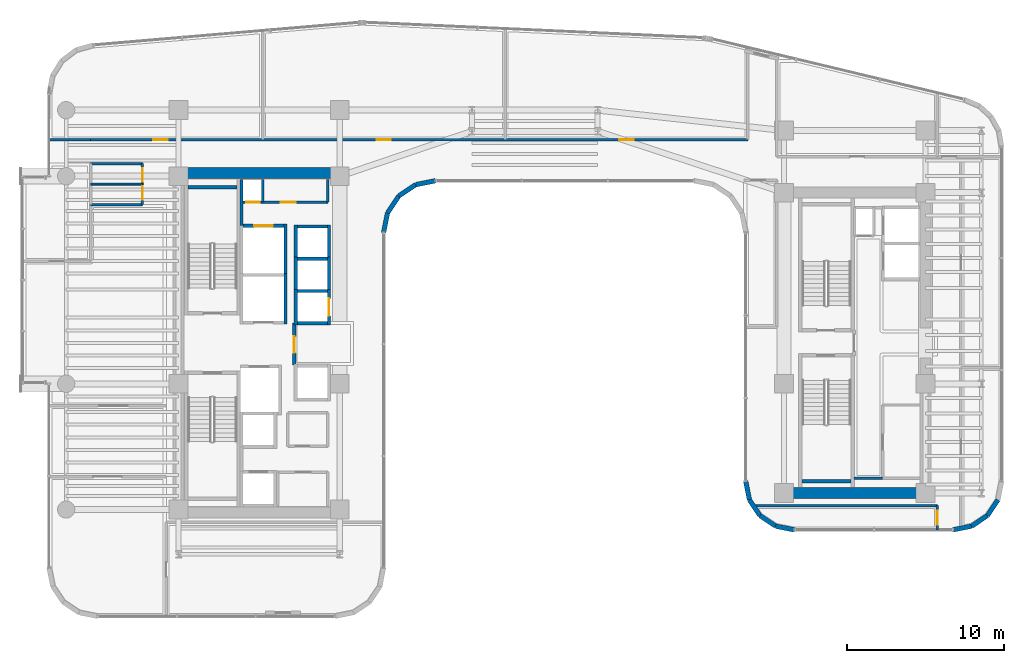
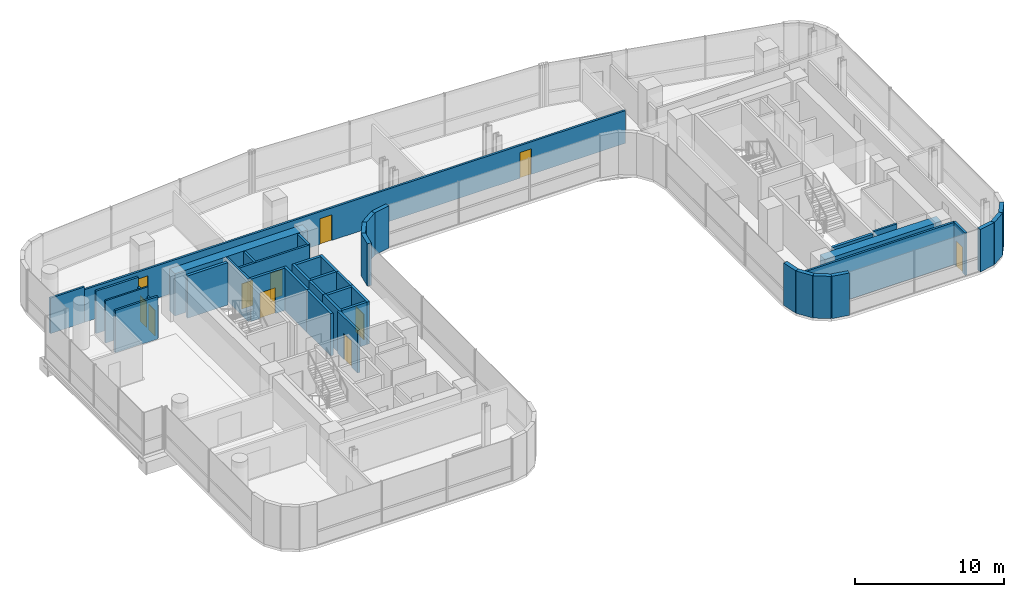
# One storey, part 27 of 34: 42 walls, 11 doors, 11 openings.
"""IFC4 building model written with IfcOpenShell, lengths in metres."""

from ifc_helpers import new_model, si_unit, direction, frame, frame_2d, origin, place, context, subcontext, project, spatial, rectangle, extrude, material, layer, layer_set, type_object, element, fill, save


model = new_model("IFC4")

# Units and contexts
model_context = context("Model", 3, precision=1e-05, world=origin(), true_north=direction((0.0, 1.0)))
body_context = subcontext(model_context, "Body", "Model", "MODEL_VIEW")
ifc_project = project(units=[si_unit("LENGTHUNIT", "METRE"), si_unit("AREAUNIT", "SQUARE_METRE"), si_unit("VOLUMEUNIT", "CUBIC_METRE"), si_unit("PLANEANGLEUNIT", "RADIAN"), si_unit("MASSUNIT", "GRAM", prefix="KILO")], contexts=[model_context])

# Site, building, storey
site_placement = place(None, origin())
site = spatial("IfcSite", under=ifc_project, at=site_placement, CompositionType="ELEMENT")
building_placement = place(site_placement, origin())
building = spatial("IfcBuilding", under=site, at=building_placement, Name="Valdorenza Pilgrim Sanctuary Tower", CompositionType="ELEMENT")
storey_placement = place(building_placement, frame((0.0, 0.0, 142.699951171875)))
storey = spatial("IfcBuildingStorey", under=building, at=storey_placement, Name="L36", CompositionType="ELEMENT", Elevation=142.699951171875)

# Wall
ifc_material_1 = material(Name="Acoustic twin-stud gypsum partition", Category="gypsum")
ifc_layer_1 = layer(ifc_material_1, 0.159912109375, Name="Acoustic twin-stud gypsum partition")
ifc_layer_set_1 = layer_set([ifc_layer_1], Name="Acoustic twin-stud gypsum partition")
wall_type_1 = type_object("IfcWallType", Name="WAL-COR-160", PredefinedType="PARTITIONING", material=ifc_layer_set_1)
wall_1_placement = place(storey_placement, frame((-18.64990234375, 7.449951171875, 0.0), z_axis=(0.0, 0.0, 1.0), x_axis=(0.0, 1.0, 0.0)))
element("IfcWall", 1, at=wall_1_placement, inside=storey, type_object=wall_type_1, Name="L36 Core A North Service West Wall", PredefinedType="PARTITIONING", context=body_context, shape_type="SweptSolid", body=[
    extrude(rectangle(XDim=2.929931640625, YDim=0.159912109375, at=frame_2d((1.46484375, 0.0))), origin(), (0.0, 0.0, 1.0), 3.4599609375),
])

# Wall, openings, doors
wall_2_placement = place(storey_placement, frame((-18.64990234375, 8.949951171875, 0.0), z_axis=(0.0, 0.0, 1.0), x_axis=(1.0, 0.0, 0.0)))
wall_2 = element("IfcWall", 2, at=wall_2_placement, inside=storey, type_object=wall_type_1, Name="L36 Core A North Service South Wall", PredefinedType="PARTITIONING", context=body_context, shape_type="SweptSolid", body=[
    extrude(rectangle(XDim=5.5, YDim=0.159912109375, at=frame_2d((2.75, 0.0))), origin(), (0.0, 0.0, 1.0), 3.4599609375),
])
opening_1_placement = place(wall_2_placement, frame((0.300048828125, 0.0, 0.0)))
opening_1 = element("IfcOpeningElement", 3, at=opening_1_placement, cuts=wall_2, Name="Opening DR-RS1", PredefinedType="OPENING", context=body_context, shape_type="SweptSolid", body=[
    extrude(rectangle(XDim=0.85009765625, YDim=2.050048828125, at=frame_2d((0.425048828125, 1.02490234375))), frame((0.0, 0.0947265625, 0.0), z_axis=(0.0, -1.0, 0.0), x_axis=(1.0, 0.0, 0.0)), (0.0, 0.0, 1.0), 0.189697265625),
])
opening_2_placement = place(wall_2_placement, frame((2.5, 0.0, 0.0)))
opening_2 = element("IfcOpeningElement", 4, at=opening_2_placement, cuts=wall_2, Name="Opening DR-UN1", PredefinedType="OPENING", context=body_context, shape_type="SweptSolid", body=[
    extrude(rectangle(XDim=0.949951171875, YDim=2.14990234375, at=frame_2d((0.47509765625, 1.074951171875))), frame((0.0, 0.0947265625, 0.0), z_axis=(0.0, -1.0, 0.0), x_axis=(1.0, 0.0, 0.0)), (0.0, 0.0, 1.0), 0.189697265625),
])
ifc_material_2 = material(Name="Painted galvanized steel", Category="steel")
door_type_1 = type_object("IfcDoorType", Name="DR-RSR-850", OperationType="NOTDEFINED", PredefinedType="DOOR", material=ifc_material_2)
door_1_placement = place(opening_1_placement, origin())
door_1 = element("IfcDoor", 5, at=door_1_placement, inside=storey, type_object=door_type_1, Name="L36 Core Electrical and Telecom Riser Door", OperationType="SINGLE_SWING_LEFT", OverallHeight=2.050048828125, OverallWidth=0.85009765625, PredefinedType="DOOR", context=body_context, shape_type="SweptSolid", body=[
    extrude(rectangle(XDim=0.85009765625, YDim=2.050048828125, at=frame_2d((0.425048828125, 1.02490234375))), frame((0.0, 0.02490234375, 0.0), z_axis=(0.0, -1.0, 0.0), x_axis=(1.0, 0.0, 0.0)), (0.0, 0.0, 1.0), 0.050048828125),
])
fill(opening_1, door_1)
ifc_material_3 = material(Name="Solid-core European oak timber", Category="wood")
door_type_2 = type_object("IfcDoorType", Name="DR-UNIT-950", OperationType="NOTDEFINED", PredefinedType="DOOR", material=ifc_material_3)
door_2_placement = place(opening_2_placement, origin())
door_2 = element("IfcDoor", 6, at=door_2_placement, inside=storey, type_object=door_type_2, Name="L36 Housekeeping and Clean Linen Room Door", OperationType="SINGLE_SWING_RIGHT", OverallHeight=2.14990234375, OverallWidth=0.949951171875, PredefinedType="DOOR", context=body_context, shape_type="SweptSolid", body=[
    extrude(rectangle(XDim=0.949951171875, YDim=2.14990234375, at=frame_2d((0.47509765625, 1.074951171875))), frame((0.0, 0.02490234375, 0.0), z_axis=(0.0, -1.0, 0.0), x_axis=(1.0, 0.0, 0.0)), (0.0, 0.0, 1.0), 0.050048828125),
])
fill(opening_2, door_2)

# Walls
for number, where, z_axis, x_axis, name in (
    (7, (-13.14990234375, 8.949951171875, 0.0), (0.0, 0.0, 1.0), (0.0, 1.0, 0.0), "L36 Core A North Service East Wall"),
    (8, (-17.300048828125, 8.949951171875, 0.0), (0.0, 0.0, 1.0), (0.0, 1.0, 0.0), "L36 Core Electrical Riser Wall"),
):
    element("IfcWall", number, at=place(storey_placement, frame(where, z_axis=z_axis, x_axis=x_axis)), inside=storey, type_object=wall_type_1, Name=name, PredefinedType="PARTITIONING", context=body_context, shape_type="SweptSolid", body=[
        extrude(rectangle(XDim=1.429931640625, YDim=0.159912109375, at=frame_2d((0.71484375, 0.0))), origin(), (0.0, 0.0, 1.0), 3.4599609375),
    ])
wall_3_placement = place(storey_placement, frame((20.300048828125, -8.60009765625, 0.0), z_axis=(0.0, 0.0, 1.0), x_axis=(1.0, 0.0, 0.0)))
element("IfcWall", 9, at=wall_3_placement, inside=storey, type_object=wall_type_1, Name="L36 Core B Lift Hall South End Wall", PredefinedType="PARTITIONING", context=body_context, shape_type="SweptSolid", body=[
    extrude(rectangle(XDim=1.820068359375, YDim=0.159912109375, at=frame_2d((0.91015625, 0.0))), origin(), (0.0, 0.0, 1.0), 3.4599609375),
])

# Wall, openings, doors
wall_4_placement = place(storey_placement, frame((-24.949951171875, 8.800048828125, 0.0), z_axis=(0.0, 0.0, 1.0), x_axis=(0.0, 1.0, 0.0)))
wall_4 = element("IfcWall", 10, at=wall_4_placement, inside=storey, type_object=wall_type_1, Name="L36 Washroom East Wall", PredefinedType="PARTITIONING", context=body_context, shape_type="SweptSolid", body=[
    extrude(rectangle(XDim=2.599853515625, YDim=0.159912109375, at=frame_2d((1.2998046875, 0.0))), origin(), (0.0, 0.0, 1.0), 2.666015625),
])
opening_3_placement = place(wall_4_placement, frame((0.300048828125, 0.0, 0.0)))
opening_3 = element("IfcOpeningElement", 11, at=opening_3_placement, cuts=wall_4, Name="Opening DR-WC1", PredefinedType="OPENING", context=body_context, shape_type="SweptSolid", body=[
    extrude(rectangle(XDim=0.85009765625, YDim=2.10009765625, at=frame_2d((0.425048828125, 1.050048828125))), frame((0.0, 0.0947265625, 0.0), z_axis=(0.0, -1.0, 0.0), x_axis=(1.0, 0.0, 0.0)), (0.0, 0.0, 1.0), 0.189697265625),
])
opening_4_placement = place(wall_4_placement, frame((1.449951171875, 0.0, 0.0)))
opening_4 = element("IfcOpeningElement", 12, at=opening_4_placement, cuts=wall_4, Name="Opening DR-WC1", PredefinedType="OPENING", context=body_context, shape_type="SweptSolid", body=[
    extrude(rectangle(XDim=0.85009765625, YDim=2.10009765625, at=frame_2d((0.425048828125, 1.050048828125))), frame((0.0, 0.0947265625, 0.0), z_axis=(0.0, -1.0, 0.0), x_axis=(1.0, 0.0, 0.0)), (0.0, 0.0, 1.0), 0.189697265625),
])
ifc_material_4 = material(Name="Moisture-resistant lacquered timber", Category="wood")
door_type_3 = type_object("IfcDoorType", Name="DR-BATH-850", OperationType="NOTDEFINED", PredefinedType="DOOR", material=ifc_material_4)
door_3_placement = place(opening_3_placement, origin())
door_3 = element("IfcDoor", 13, at=door_3_placement, inside=storey, type_object=door_type_3, Name="L36 Accessible Washroom Door", OperationType="SINGLE_SWING_RIGHT", OverallHeight=2.10009765625, OverallWidth=0.85009765625, PredefinedType="DOOR", context=body_context, shape_type="SweptSolid", body=[
    extrude(rectangle(XDim=0.85009765625, YDim=2.10009765625, at=frame_2d((0.425048828125, 1.050048828125))), frame((0.0, 0.02490234375, 0.0), z_axis=(0.0, -1.0, 0.0), x_axis=(1.0, 0.0, 0.0)), (0.0, 0.0, 1.0), 0.050048828125),
])
fill(opening_3, door_3)
door_4_placement = place(opening_4_placement, origin())
door_4 = element("IfcDoor", 14, at=door_4_placement, inside=storey, type_object=door_type_3, Name="L36 Public Washroom Door", OperationType="SINGLE_SWING_LEFT", OverallHeight=2.10009765625, OverallWidth=0.85009765625, PredefinedType="DOOR", context=body_context, shape_type="SweptSolid", body=[
    extrude(rectangle(XDim=0.85009765625, YDim=2.10009765625, at=frame_2d((0.425048828125, 1.050048828125))), frame((0.0, 0.02490234375, 0.0), z_axis=(0.0, -1.0, 0.0), x_axis=(1.0, 0.0, 0.0)), (0.0, 0.0, 1.0), 0.050048828125),
])
fill(opening_4, door_4)

# Walls
for number, where, z_axis, x_axis, name in (
    (15, (-28.25, 8.800048828125, 0.0), (0.0, 0.0, 1.0), (1.0, 0.0, 0.0), "L36 Washroom South Wall"),
    (16, (-28.25, 11.39990234375, 0.0), (0.0, 0.0, 1.0), (1.0, 0.0, 0.0), "L36 Washroom North Wall"),
):
    element("IfcWall", number, at=place(storey_placement, frame(where, z_axis=z_axis, x_axis=x_axis)), inside=storey, type_object=wall_type_1, Name=name, PredefinedType="PARTITIONING", context=body_context, shape_type="SweptSolid", body=[
        extrude(rectangle(XDim=3.300048828125, YDim=0.159912109375, at=frame_2d((1.64990234375, 0.0))), origin(), (0.0, 0.0, 1.0), 3.4599609375),
    ])
wall_5_placement = place(storey_placement, frame((-30.889892578125, 12.919921875, 0.0), z_axis=(0.0, 0.0, 1.0), x_axis=(1.0, 0.0, 0.0)))
element("IfcWall", 17, at=wall_5_placement, inside=storey, type_object=wall_type_1, Name="L36 Cloister North Solid Partition", PredefinedType="PARTITIONING", context=body_context, shape_type="SweptSolid", body=[
    extrude(rectangle(XDim=2.639892578125, YDim=0.159912109375, at=frame_2d((1.31982421875, 0.0))), origin(), (0.0, 0.0, 1.0), 2.89599609375),
])

# Wall, openings, doors
wall_6_placement = place(storey_placement, frame((-28.25, 12.919921875, 0.0), z_axis=(0.0, 0.0, 1.0), x_axis=(1.0, 0.0, 0.0)))
wall_6 = element("IfcWall", 18, at=wall_6_placement, inside=storey, type_object=wall_type_1, Name="L36 North Corridor Wall", PredefinedType="PARTITIONING", context=body_context, shape_type="SweptSolid", body=[
    extrude(rectangle(XDim=41.800048828125, YDim=0.159912109375, at=frame_2d((20.89990234375, 0.0))), origin(), (0.0, 0.0, 1.0), 2.666015625),
])
opening_5_placement = place(wall_6_placement, frame((4.0, 0.0, 0.0)))
opening_5 = element("IfcOpeningElement", 19, at=opening_5_placement, cuts=wall_6, Name="Opening DR-RM1", PredefinedType="OPENING", context=body_context, shape_type="SweptSolid", body=[
    extrude(rectangle(XDim=0.89990234375, YDim=2.10009765625, at=frame_2d((0.449951171875, 1.050048828125))), frame((0.0, 0.0947265625, 0.0), z_axis=(0.0, -1.0, 0.0), x_axis=(1.0, 0.0, 0.0)), (0.0, 0.0, 1.0), 0.189697265625),
])
opening_6_placement = place(wall_6_placement, frame((18.205078125, 0.0, 0.0)))
opening_6 = element("IfcOpeningElement", 20, at=opening_6_placement, cuts=wall_6, Name="Opening DR-RM1", PredefinedType="OPENING", context=body_context, shape_type="SweptSolid", body=[
    extrude(rectangle(XDim=0.89990234375, YDim=2.10009765625, at=frame_2d((0.449951171875, 1.050048828125))), frame((0.0, 0.0947265625, 0.0), z_axis=(0.0, -1.0, 0.0), x_axis=(1.0, 0.0, 0.0)), (0.0, 0.0, 1.0), 0.189697265625),
])
opening_7_placement = place(wall_6_placement, frame((33.635009765625, 0.0, 0.0)))
opening_7 = element("IfcOpeningElement", 21, at=opening_7_placement, cuts=wall_6, Name="Opening DR-RM1", PredefinedType="OPENING", context=body_context, shape_type="SweptSolid", body=[
    extrude(rectangle(XDim=0.89990234375, YDim=2.10009765625, at=frame_2d((0.449951171875, 1.050048828125))), frame((0.0, 0.0947265625, 0.0), z_axis=(0.0, -1.0, 0.0), x_axis=(1.0, 0.0, 0.0)), (0.0, 0.0, 1.0), 0.189697265625),
])
door_type_4 = type_object("IfcDoorType", Name="DR-ROOM-900", OperationType="NOTDEFINED", PredefinedType="DOOR", material=ifc_material_3)
door_5_placement = place(opening_5_placement, origin())
door_5 = element("IfcDoor", 22, at=door_5_placement, inside=storey, type_object=door_type_4, Name="L36 Private Banquet Dining Room L36-N1 Door", OperationType="SINGLE_SWING_RIGHT", OverallHeight=2.10009765625, OverallWidth=0.89990234375, PredefinedType="DOOR", context=body_context, shape_type="SweptSolid", body=[
    extrude(rectangle(XDim=0.89990234375, YDim=2.10009765625, at=frame_2d((0.449951171875, 1.050048828125))), frame((0.0, 0.02490234375, 0.0), z_axis=(0.0, -1.0, 0.0), x_axis=(1.0, 0.0, 0.0)), (0.0, 0.0, 1.0), 0.050048828125),
])
fill(opening_5, door_5)
door_6_placement = place(opening_6_placement, frame((0.89990234375, 0.0, 0.0), z_axis=(0.0, 0.0, 1.0), x_axis=(-1.0, 0.0, 0.0)))
door_6 = element("IfcDoor", 23, at=door_6_placement, inside=storey, type_object=door_type_4, Name="L36 Private Banquet Dining Room L36-N2 Door", OperationType="SINGLE_SWING_LEFT", OverallHeight=2.10009765625, OverallWidth=0.89990234375, PredefinedType="DOOR", context=body_context, shape_type="SweptSolid", body=[
    extrude(rectangle(XDim=0.89990234375, YDim=2.10009765625, at=frame_2d((0.449951171875, 1.050048828125))), frame((0.0, 0.02490234375, 0.0), z_axis=(0.0, -1.0, 0.0), x_axis=(1.0, 0.0, 0.0)), (0.0, 0.0, 1.0), 0.050048828125),
])
fill(opening_6, door_6)
door_7_placement = place(opening_7_placement, origin())
door_7 = element("IfcDoor", 24, at=door_7_placement, inside=storey, type_object=door_type_4, Name="L36 Private Banquet Dining Room L36-N3 Door", OperationType="SINGLE_SWING_RIGHT", OverallHeight=2.10009765625, OverallWidth=0.89990234375, PredefinedType="DOOR", context=body_context, shape_type="SweptSolid", body=[
    extrude(rectangle(XDim=0.89990234375, YDim=2.10009765625, at=frame_2d((0.449951171875, 1.050048828125))), frame((0.0, 0.02490234375, 0.0), z_axis=(0.0, -1.0, 0.0), x_axis=(1.0, 0.0, 0.0)), (0.0, 0.0, 1.0), 0.050048828125),
])
fill(opening_7, door_7)

# Wall, opening, door
wall_7_placement = place(storey_placement, frame((25.60009765625, -11.889892578125, 0.0), z_axis=(0.0, 0.0, 1.0), x_axis=(0.0, 1.0, 0.0)))
wall_7 = element("IfcWall", 25, at=wall_7_placement, inside=storey, type_object=wall_type_1, Name="L36 Wing B South-East Wall", PredefinedType="PARTITIONING", context=body_context, shape_type="SweptSolid", body=[
    extrude(rectangle(XDim=1.539794921875, YDim=0.159912109375, at=frame_2d((0.77001953125, 0.0))), origin(), (0.0, 0.0, 1.0), 3.4599609375),
])
opening_8_placement = place(wall_7_placement, frame((0.320068359375, 0.0, 0.0)))
opening_8 = element("IfcOpeningElement", 26, at=opening_8_placement, cuts=wall_7, Name="Opening DR-RM1", PredefinedType="OPENING", context=body_context, shape_type="SweptSolid", body=[
    extrude(rectangle(XDim=0.89990234375, YDim=2.10009765625, at=frame_2d((0.449951171875, 1.050048828125))), frame((0.0, 0.0947265625, 0.0), z_axis=(0.0, -1.0, 0.0), x_axis=(1.0, 0.0, 0.0)), (0.0, 0.0, 1.0), 0.189697265625),
])
door_8_placement = place(opening_8_placement, origin())
door_8 = element("IfcDoor", 27, at=door_8_placement, inside=storey, type_object=door_type_4, Name="L36 Sacred Manuscript Archive L36-BS Door", OperationType="SINGLE_SWING_RIGHT", OverallHeight=2.10009765625, OverallWidth=0.89990234375, PredefinedType="DOOR", context=body_context, shape_type="SweptSolid", body=[
    extrude(rectangle(XDim=0.89990234375, YDim=2.10009765625, at=frame_2d((0.449951171875, 1.050048828125))), frame((0.0, 0.02490234375, 0.0), z_axis=(0.0, -1.0, 0.0), x_axis=(1.0, 0.0, 0.0)), (0.0, 0.0, 1.0), 0.050048828125),
])
fill(opening_8, door_8)

# Walls
wall_8_placement = place(storey_placement, frame((14.043701171875, -10.35009765625, 0.0), z_axis=(0.0, 0.0, 1.0), x_axis=(1.0, 0.0, 0.0)))
element("IfcWall", 28, at=wall_8_placement, inside=storey, type_object=wall_type_1, Name="L36 Wing B South Closure", PredefinedType="PARTITIONING", context=body_context, shape_type="SweptSolid", body=[
    extrude(rectangle(XDim=11.556396484375, YDim=0.159912109375, at=frame_2d((5.7783203125, 0.0))), origin(), (0.0, 0.0, 1.0), 3.4599609375),
])
ifc_material_5 = material(Name="Concrete C60/75", Category="concrete")
ifc_layer_2 = layer(ifc_material_5, 0.699951171875, Name="Concrete C60/75")
ifc_layer_set_2 = layer_set([ifc_layer_2], Name="Concrete C60/75")
wall_type_2 = type_object("IfcWallType", Name="WAL-COR-700", PredefinedType="SHEAR", material=ifc_layer_set_2)
wall_9_placement = place(storey_placement, frame((-22.64990234375, 10.800048828125, 0.0), z_axis=(0.0, 0.0, 1.0), x_axis=(1.0, 0.0, 0.0)))
element("IfcWall", 29, at=wall_9_placement, inside=storey, type_object=wall_type_2, Name="L36 Split Core A Shear Wall N", PredefinedType="SHEAR", context=body_context, shape_type="SweptSolid", body=[
    extrude(rectangle(XDim=10.25, YDim=0.699951171875, at=frame_2d((5.125, 0.0))), origin(), (0.0, 0.0, 1.0), 3.4599609375),
])
wall_10_placement = place(storey_placement, frame((15.85009765625, -9.550048828125, 0.0), z_axis=(0.0, 0.0, 1.0), x_axis=(1.0, 0.0, 0.0)))
element("IfcWall", 30, at=wall_10_placement, inside=storey, type_object=wall_type_2, Name="L36 Split Core B Shear Wall S", PredefinedType="SHEAR", context=body_context, shape_type="SweptSolid", body=[
    extrude(rectangle(XDim=9.0, YDim=0.699951171875, at=frame_2d((4.5, 0.0))), origin(), (0.0, 0.0, 1.0), 3.4599609375),
])
ifc_material_6 = material(Name="Honed travertine limestone", Category="masonry")
ifc_layer_3 = layer(ifc_material_6, 0.300048828125, Name="Honed travertine limestone")
ifc_layer_set_3 = layer_set([ifc_layer_3], Name="Honed travertine limestone")
wall_type_3 = type_object("IfcWallType", Name="WAL-EXT-300", PredefinedType="SOLIDWALL", material=ifc_layer_set_3)
for number, where, z_axis, x_axis, name in (
    (31, (29.452880859375, -9.981689453125, 0.0), (0.0, 0.0, 1.0), (-0.555635100982, -0.831426265255, 0.0), "L36 Rounded Wind-Corner Stone Pier 23"),
    (32, (28.783447265625, -10.9833984375, 0.0), (0.0, 0.0, 1.0), (-0.831426265255, -0.555635100982, 0.0), "L36 Rounded Wind-Corner Stone Pier 24"),
):
    element("IfcWall", number, at=place(storey_placement, frame(where, z_axis=z_axis, x_axis=x_axis)), inside=storey, type_object=wall_type_3, Name=name, PredefinedType="SOLIDWALL", context=body_context, shape_type="SweptSolid", body=[
        extrude(rectangle(XDim=1.204833984375, YDim=0.300048828125, at=frame_2d((0.6025390625, 0.0))), origin(), (0.0, 0.0, 1.0), 3.4599609375),
    ])
wall_11_placement = place(storey_placement, frame((27.78173828125, -11.65283203125, 0.0), z_axis=(0.0, 0.0, 1.0), x_axis=(-0.980811661072, -0.194957650543, 0.0)))
element("IfcWall", 33, at=wall_11_placement, inside=storey, type_object=wall_type_3, Name="L36 Rounded Wind-Corner Stone Pier 25", PredefinedType="SOLIDWALL", context=body_context, shape_type="SweptSolid", body=[
    extrude(rectangle(XDim=1.216064453125, YDim=0.300048828125, at=frame_2d((0.60791015625, 0.0))), origin(), (0.0, 0.0, 1.0), 3.4599609375),
])
wall_12_placement = place(storey_placement, frame((16.5107421875, -11.889892578125, 0.0), z_axis=(0.0, 0.0, 1.0), x_axis=(-0.980804027463, 0.194996050505, 0.0)))
element("IfcWall", 34, at=wall_12_placement, inside=storey, type_object=wall_type_3, Name="L36 Rounded Wind-Corner Stone Pier 27", PredefinedType="SOLIDWALL", context=body_context, shape_type="SweptSolid", body=[
    extrude(rectangle(XDim=1.2158203125, YDim=0.300048828125, at=frame_2d((0.60791015625, 0.0))), origin(), (0.0, 0.0, 1.0), 3.4599609375),
])
for number, where, z_axis, x_axis, name in (
    (35, (15.318359375, -11.65283203125, 0.0), (0.0, 0.0, 1.0), (-0.831426265255, 0.555635100982, 0.0), "L36 Rounded Wind-Corner Stone Pier 28"),
    (36, (14.316650390625, -10.9833984375, 0.0), (0.0, 0.0, 1.0), (-0.555635100982, 0.831426265255, 0.0), "L36 Rounded Wind-Corner Stone Pier 29"),
):
    element("IfcWall", number, at=place(storey_placement, frame(where, z_axis=z_axis, x_axis=x_axis)), inside=storey, type_object=wall_type_3, Name=name, PredefinedType="SOLIDWALL", context=body_context, shape_type="SweptSolid", body=[
        extrude(rectangle(XDim=1.204833984375, YDim=0.300048828125, at=frame_2d((0.6025390625, 0.0))), origin(), (0.0, 0.0, 1.0), 3.4599609375),
    ])
wall_13_placement = place(storey_placement, frame((13.647216796875, -9.981689453125, 0.0), z_axis=(0.0, 0.0, 1.0), x_axis=(-0.195189223115, 0.980765602568, 0.0)))
element("IfcWall", 37, at=wall_13_placement, inside=storey, type_object=wall_type_3, Name="L36 Rounded Wind-Corner Stone Pier 30", PredefinedType="SOLIDWALL", context=body_context, shape_type="SweptSolid", body=[
    extrude(rectangle(XDim=1.2158203125, YDim=0.300048828125, at=frame_2d((0.60791015625, 0.0))), origin(), (0.0, 0.0, 1.0), 3.4599609375),
])
wall_14_placement = place(storey_placement, frame((-6.310791015625, 10.31005859375, 0.0), z_axis=(0.0, 0.0, 1.0), x_axis=(-0.980778058848, -0.195126623715, 0.0)))
element("IfcWall", 38, at=wall_14_placement, inside=storey, type_object=wall_type_3, Name="L36 Rounded Wind-Corner Stone Pier 37", PredefinedType="SOLIDWALL", context=body_context, shape_type="SweptSolid", body=[
    extrude(rectangle(XDim=1.28125, YDim=0.300048828125, at=frame_2d((0.640625, 0.0))), origin(), (0.0, 0.0, 1.0), 3.4599609375),
])
wall_15_placement = place(storey_placement, frame((-7.5673828125, 10.06005859375, 0.0), z_axis=(0.0, 0.0, 1.0), x_axis=(-0.831497739511, -0.555528135371, 0.0)))
element("IfcWall", 39, at=wall_15_placement, inside=storey, type_object=wall_type_3, Name="L36 Rounded Wind-Corner Stone Pier 38", PredefinedType="SOLIDWALL", context=body_context, shape_type="SweptSolid", body=[
    extrude(rectangle(XDim=1.29248046875, YDim=0.300048828125, at=frame_2d((0.646240234375, 0.0))), origin(), (0.0, 0.0, 1.0), 3.4599609375),
])
wall_16_placement = place(storey_placement, frame((-8.64208984375, 9.342041015625, 0.0), z_axis=(0.0, 0.0, 1.0), x_axis=(-0.555615398575, -0.831439431869, 0.0)))
element("IfcWall", 40, at=wall_16_placement, inside=storey, type_object=wall_type_3, Name="L36 Rounded Wind-Corner Stone Pier 39", PredefinedType="SOLIDWALL", context=body_context, shape_type="SweptSolid", body=[
    extrude(rectangle(XDim=1.292236328125, YDim=0.300048828125, at=frame_2d((0.64599609375, 0.0))), origin(), (0.0, 0.0, 1.0), 3.4599609375),
])
wall_17_placement = place(storey_placement, frame((-9.360107421875, 8.267578125, 0.0), z_axis=(0.0, 0.0, 1.0), x_axis=(-0.195090163074, -0.980785312019, 0.0)))
element("IfcWall", 41, at=wall_17_placement, inside=storey, type_object=wall_type_3, Name="L36 Rounded Wind-Corner Stone Pier 40", PredefinedType="SOLIDWALL", context=body_context, shape_type="SweptSolid", body=[
    extrude(rectangle(XDim=1.281494140625, YDim=0.300048828125, at=frame_2d((0.640625, 0.0))), origin(), (0.0, 0.0, 1.0), 3.4599609375),
])

# Wall, opening, door
ifc_material_7 = material(Name="Gypsum shaftwall partition", Category="gypsum")
ifc_layer_4 = layer(ifc_material_7, 0.199951171875, Name="Gypsum shaftwall partition")
ifc_layer_set_4 = layer_set([ifc_layer_4], Name="Gypsum shaftwall partition")
wall_type_4 = type_object("IfcWallType", Name="WAL-FFL-200", PredefinedType="PARTITIONING", material=ifc_layer_set_4)
wall_18_placement = place(storey_placement, frame((-15.300048828125, -1.419921875, 0.0), z_axis=(0.0, 0.0, 1.0), x_axis=(0.0, 1.0, 0.0)))
wall_18 = element("IfcWall", 42, at=wall_18_placement, inside=storey, type_object=wall_type_4, Name="L36 Core A Firefighting Lobby East Wall", PredefinedType="PARTITIONING", context=body_context, shape_type="SweptSolid", body=[
    extrude(rectangle(XDim=2.669921875, YDim=0.199951171875, at=frame_2d((1.3349609375, 0.0))), origin(), (0.0, 0.0, 1.0), 3.4599609375),
])
opening_9_placement = place(wall_18_placement, frame((0.780029296875, 0.0, 0.0)))
opening_9 = element("IfcOpeningElement", 43, at=opening_9_placement, cuts=wall_18, Name="Opening DR-FL1", PredefinedType="OPENING", context=body_context, shape_type="SweptSolid", body=[
    extrude(rectangle(XDim=1.050048828125, YDim=2.14990234375, at=frame_2d((0.52490234375, 1.074951171875))), frame((0.0, 0.11474609375, 0.0), z_axis=(0.0, -1.0, 0.0), x_axis=(1.0, 0.0, 0.0)), (0.0, 0.0, 1.0), 0.229736328125),
])
door_type_5 = type_object("IfcDoorType", Name="DR-FFL-1050", OperationType="NOTDEFINED", PredefinedType="DOOR", material=ifc_material_2)
door_9_placement = place(opening_9_placement, origin())
door_9 = element("IfcDoor", 44, at=door_9_placement, inside=storey, type_object=door_type_5, Name="L36 Core A Firefighting Lobby Door", OperationType="SINGLE_SWING_RIGHT", OverallHeight=2.14990234375, OverallWidth=1.050048828125, PredefinedType="DOOR", context=body_context, shape_type="SweptSolid", body=[
    extrude(rectangle(XDim=1.050048828125, YDim=2.14990234375, at=frame_2d((0.52490234375, 1.074951171875))), frame((0.0, 0.02490234375, 0.0), z_axis=(0.0, -1.0, 0.0), x_axis=(1.0, 0.0, 0.0)), (0.0, 0.0, 1.0), 0.050048828125),
])
fill(opening_9, door_9)

# Walls
ifc_material_8 = material(Name="Moisture-resistant gypsum partition", Category="gypsum")
ifc_layer_5 = layer(ifc_material_8, 0.1201171875, Name="Moisture-resistant gypsum partition")
ifc_layer_set_5 = layer_set([ifc_layer_5], Name="Moisture-resistant gypsum partition")
wall_type_5 = type_object("IfcWallType", Name="WAL-INT-120", PredefinedType="PARTITIONING", material=ifc_layer_set_5)
wall_19_placement = place(storey_placement, frame((-28.25, 10.10009765625, 0.0), z_axis=(0.0, 0.0, 1.0), x_axis=(1.0, 0.0, 0.0)))
element("IfcWall", 45, at=wall_19_placement, inside=storey, type_object=wall_type_5, Name="L36 Washroom Divider Wall", PredefinedType="PARTITIONING", context=body_context, shape_type="SweptSolid", body=[
    extrude(rectangle(XDim=3.300048828125, YDim=0.1201171875, at=frame_2d((1.64990234375, 0.0))), origin(), (0.0, 0.0, 1.0), 3.4599609375),
])
ifc_material_9 = material(Name="Autoclaved aerated concrete blockwork", Category="masonry")
ifc_layer_6 = layer(ifc_material_9, 0.199951171875, Name="Autoclaved aerated concrete blockwork")
ifc_layer_set_6 = layer_set([ifc_layer_6], Name="Autoclaved aerated concrete blockwork")
wall_type_6 = type_object("IfcWallType", Name="WAL-SHF-200", PredefinedType="MOVABLE", material=ifc_layer_set_6)
wall_20_placement = place(storey_placement, frame((-15.85009765625, 1.199951171875, 0.0), z_axis=(0.0, 0.0, 1.0), x_axis=(0.0, 1.0, 0.0)))
element("IfcWall", 46, at=wall_20_placement, inside=storey, type_object=wall_type_6, Name="L36 Lift FFL-01 Hoistway Wall East", PredefinedType="MOVABLE", context=body_context, shape_type="SweptSolid", body=[
    extrude(rectangle(XDim=3.22509765625, YDim=0.199951171875, at=frame_2d((1.612548828125, 0.0))), origin(), (0.0, 0.0, 1.0), 3.4599609375),
])
wall_21_placement = place(storey_placement, frame((-15.85009765625, 4.22509765625, 0.0), z_axis=(0.0, 0.0, 1.0), x_axis=(0.0, 1.0, 0.0)))
element("IfcWall", 47, at=wall_21_placement, inside=storey, type_object=wall_type_6, Name="L36 Lift SVL-01 Hoistway Wall East", PredefinedType="MOVABLE", context=body_context, shape_type="SweptSolid", body=[
    extrude(rectangle(XDim=3.324951171875, YDim=0.199951171875, at=frame_2d((1.66259765625, 0.0))), origin(), (0.0, 0.0, 1.0), 3.4599609375),
])

# Wall, opening, door
wall_22_placement = place(storey_placement, frame((-18.550048828125, 7.449951171875, 0.0), z_axis=(0.0, 0.0, 1.0), x_axis=(1.0, 0.0, 0.0)))
wall_22 = element("IfcWall", 48, at=wall_22_placement, inside=storey, type_object=wall_type_6, Name="L36 Lift SVL-01 Hoistway Wall North", PredefinedType="MOVABLE", context=body_context, shape_type="SweptSolid", body=[
    extrude(rectangle(XDim=2.60009765625, YDim=0.199951171875, at=frame_2d((1.300048828125, 0.0))), origin(), (0.0, 0.0, 1.0), 3.4599609375),
])
opening_10_placement = place(wall_22_placement, frame((0.699951171875, 0.0, 0.0)))
opening_10 = element("IfcOpeningElement", 49, at=opening_10_placement, cuts=wall_22, Name="Opening LD-02", PredefinedType="OPENING", context=body_context, shape_type="SweptSolid", body=[
    extrude(rectangle(XDim=1.199951171875, YDim=2.10009765625, at=frame_2d((0.60009765625, 1.050048828125))), frame((0.0, 0.11474609375, 0.0), z_axis=(0.0, -1.0, 0.0), x_axis=(1.0, 0.0, 0.0)), (0.0, 0.0, 1.0), 0.229736328125),
])
ifc_material_10 = material(Name="Brushed stainless steel Grade 316", Category="steel")
door_type_6 = type_object("IfcDoorType", Name="DR-LFT-1200", OperationType="DOUBLE_DOOR_SLIDING", PredefinedType="DOOR", material=ifc_material_10)
door_10_placement = place(opening_10_placement, origin())
door_10 = element("IfcDoor", 50, at=door_10_placement, inside=storey, type_object=door_type_6, Name="L36 Lift SVL-01 Sliding Landing Door", OperationType="DOUBLE_DOOR_SLIDING", OverallHeight=2.10009765625, OverallWidth=1.199951171875, PredefinedType="DOOR", context=body_context, shape_type="SweptSolid", body=[
    extrude(rectangle(XDim=1.199951171875, YDim=2.10009765625, at=frame_2d((0.60009765625, 1.050048828125))), frame((0.0, 0.02490234375, 0.0), z_axis=(0.0, -1.0, 0.0), x_axis=(1.0, 0.0, 0.0)), (0.0, 0.0, 1.0), 0.050048828125),
])
fill(opening_10, door_10)

# Wall
wall_23_placement = place(storey_placement, frame((-15.199951171875, 1.14990234375, 0.0), z_axis=(0.0, 0.0, 1.0), x_axis=(0.0, 1.0, 0.0)))
element("IfcWall", 51, at=wall_23_placement, inside=storey, type_object=wall_type_6, Name="L36 Lift PL-06 Hoistway Wall West", PredefinedType="MOVABLE", context=body_context, shape_type="SweptSolid", body=[
    extrude(rectangle(XDim=2.25, YDim=0.199951171875, at=frame_2d((1.125, 0.0))), origin(), (0.0, 0.0, 1.0), 3.4599609375),
])

# Wall, opening, door
wall_24_placement = place(storey_placement, frame((-13.080078125, 1.14990234375, 0.0), z_axis=(0.0, 0.0, 1.0), x_axis=(0.0, 1.0, 0.0)))
wall_24 = element("IfcWall", 52, at=wall_24_placement, inside=storey, type_object=wall_type_6, Name="L36 Lift PL-06 Hoistway Wall East", PredefinedType="MOVABLE", context=body_context, shape_type="SweptSolid", body=[
    extrude(rectangle(XDim=2.25, YDim=0.199951171875, at=frame_2d((1.125, 0.0))), origin(), (0.0, 0.0, 1.0), 3.4599609375),
])
opening_11_placement = place(wall_24_placement, frame((0.574951171875, 0.0, 0.0)))
opening_11 = element("IfcOpeningElement", 53, at=opening_11_placement, cuts=wall_24, Name="Opening LD-01", PredefinedType="OPENING", context=body_context, shape_type="SweptSolid", body=[
    extrude(rectangle(XDim=1.10009765625, YDim=2.10009765625, at=frame_2d((0.550048828125, 1.050048828125))), frame((0.0, 0.11474609375, 0.0), z_axis=(0.0, -1.0, 0.0), x_axis=(1.0, 0.0, 0.0)), (0.0, 0.0, 1.0), 0.229736328125),
])
door_type_7 = type_object("IfcDoorType", Name="DR-LFT-1100", OperationType="DOUBLE_DOOR_SLIDING", PredefinedType="DOOR", material=ifc_material_10)
door_11_placement = place(opening_11_placement, origin())
door_11 = element("IfcDoor", 54, at=door_11_placement, inside=storey, type_object=door_type_7, Name="L36 Lift PL-06 Sliding Landing Door", OperationType="DOUBLE_DOOR_SLIDING", OverallHeight=2.10009765625, OverallWidth=1.10009765625, PredefinedType="DOOR", context=body_context, shape_type="SweptSolid", body=[
    extrude(rectangle(XDim=1.10009765625, YDim=2.10009765625, at=frame_2d((0.550048828125, 1.050048828125))), frame((0.0, 0.02490234375, 0.0), z_axis=(0.0, -1.0, 0.0), x_axis=(1.0, 0.0, 0.0)), (0.0, 0.0, 1.0), 0.050048828125),
])
fill(opening_11, door_11)

# Walls
wall_25_placement = place(storey_placement, frame((-15.10009765625, 1.25, 0.0), z_axis=(0.0, 0.0, 1.0), x_axis=(1.0, 0.0, 0.0)))
element("IfcWall", 55, at=wall_25_placement, inside=storey, type_object=wall_type_6, Name="L36 Lift PL-06 Hoistway Wall South", PredefinedType="MOVABLE", context=body_context, shape_type="SweptSolid", body=[
    extrude(rectangle(XDim=1.920166015625, YDim=0.199951171875, at=frame_2d((0.9599609375, 0.0))), origin(), (0.0, 0.0, 1.0), 3.4599609375),
])
for number, where, z_axis, x_axis, name in (
    (56, (-15.199951171875, 3.199951171875, 0.0), (0.0, 0.0, 1.0), (0.0, 1.0, 0.0), "L36 Lift PL-09 Hoistway Wall West"),
    (57, (-13.080078125, 3.199951171875, 0.0), (0.0, 0.0, 1.0), (0.0, 1.0, 0.0), "L36 Lift PL-09 Hoistway Wall East"),
):
    element("IfcWall", number, at=place(storey_placement, frame(where, z_axis=z_axis, x_axis=x_axis)), inside=storey, type_object=wall_type_6, Name=name, PredefinedType="MOVABLE", context=body_context, shape_type="SweptSolid", body=[
        extrude(rectangle(XDim=2.25, YDim=0.199951171875, at=frame_2d((1.125, 0.0))), origin(), (0.0, 0.0, 1.0), 3.4599609375),
    ])
for number, where, z_axis, x_axis, name in (
    (58, (-15.10009765625, 3.300048828125, 0.0), (0.0, 0.0, 1.0), (1.0, 0.0, 0.0), "L36 Lift PL-09 Hoistway Wall South"),
    (59, (-15.10009765625, 5.35009765625, 0.0), (0.0, 0.0, 1.0), (1.0, 0.0, 0.0), "L36 Lift PL-09 Hoistway Wall North"),
):
    element("IfcWall", number, at=place(storey_placement, frame(where, z_axis=z_axis, x_axis=x_axis)), inside=storey, type_object=wall_type_6, Name=name, PredefinedType="MOVABLE", context=body_context, shape_type="SweptSolid", body=[
        extrude(rectangle(XDim=1.920166015625, YDim=0.199951171875, at=frame_2d((0.9599609375, 0.0))), origin(), (0.0, 0.0, 1.0), 3.4599609375),
    ])
for number, where, z_axis, x_axis, name in (
    (60, (-15.199951171875, 5.25, 0.0), (0.0, 0.0, 1.0), (0.0, 1.0, 0.0), "L36 Lift PL-10 Hoistway Wall West"),
    (61, (-13.080078125, 5.25, 0.0), (0.0, 0.0, 1.0), (0.0, 1.0, 0.0), "L36 Lift PL-10 Hoistway Wall East"),
):
    element("IfcWall", number, at=place(storey_placement, frame(where, z_axis=z_axis, x_axis=x_axis)), inside=storey, type_object=wall_type_6, Name=name, PredefinedType="MOVABLE", context=body_context, shape_type="SweptSolid", body=[
        extrude(rectangle(XDim=2.25, YDim=0.199951171875, at=frame_2d((1.125, 0.0))), origin(), (0.0, 0.0, 1.0), 3.4599609375),
    ])
wall_26_placement = place(storey_placement, frame((-15.10009765625, 7.39990234375, 0.0), z_axis=(0.0, 0.0, 1.0), x_axis=(1.0, 0.0, 0.0)))
element("IfcWall", 62, at=wall_26_placement, inside=storey, type_object=wall_type_6, Name="L36 Lift PL-10 Hoistway Wall North", PredefinedType="MOVABLE", context=body_context, shape_type="SweptSolid", body=[
    extrude(rectangle(XDim=1.920166015625, YDim=0.199951171875, at=frame_2d((0.9599609375, 0.0))), origin(), (0.0, 0.0, 1.0), 3.4599609375),
])
ifc_material_11 = material(Name="Concrete C40/50", Category="concrete")
ifc_layer_7 = layer(ifc_material_11, 0.219970703125, Name="Concrete C40/50")
ifc_layer_set_7 = layer_set([ifc_layer_7], Name="Concrete C40/50")
wall_type_7 = type_object("IfcWallType", Name="WAL-STR-SHF-220", PredefinedType="SHEAR", material=ifc_layer_set_7)
for number, where, z_axis, x_axis, name in (
    (63, (-22.050048828125, 9.909912109375, 0.0), (0.0, 0.0, 1.0), (1.0, 0.0, 0.0), "L36 ST-A1 Structural Stairwell Wall N"),
    (64, (17.0, -8.81005859375, 0.0), (0.0, 0.0, 1.0), (1.0, 0.0, 0.0), "L36 ST-B2 Structural Stairwell Wall S"),
):
    element("IfcWall", number, at=place(storey_placement, frame(where, z_axis=z_axis, x_axis=x_axis)), inside=storey, type_object=wall_type_7, Name=name, PredefinedType="SHEAR", context=body_context, shape_type="SweptSolid", body=[
        extrude(rectangle(XDim=3.110107421875, YDim=0.219970703125, at=frame_2d((1.55517578125, 0.0))), origin(), (0.0, 0.0, 1.0), 3.4599609375),
    ])

save(model, "model.ifc")
